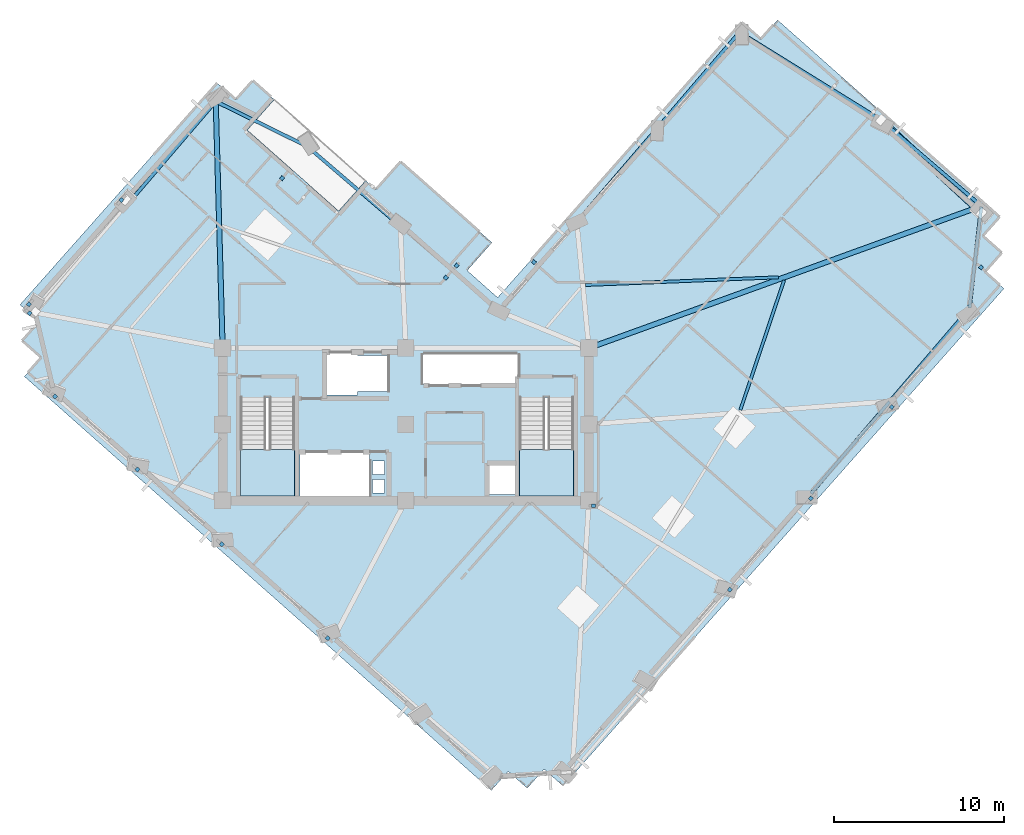
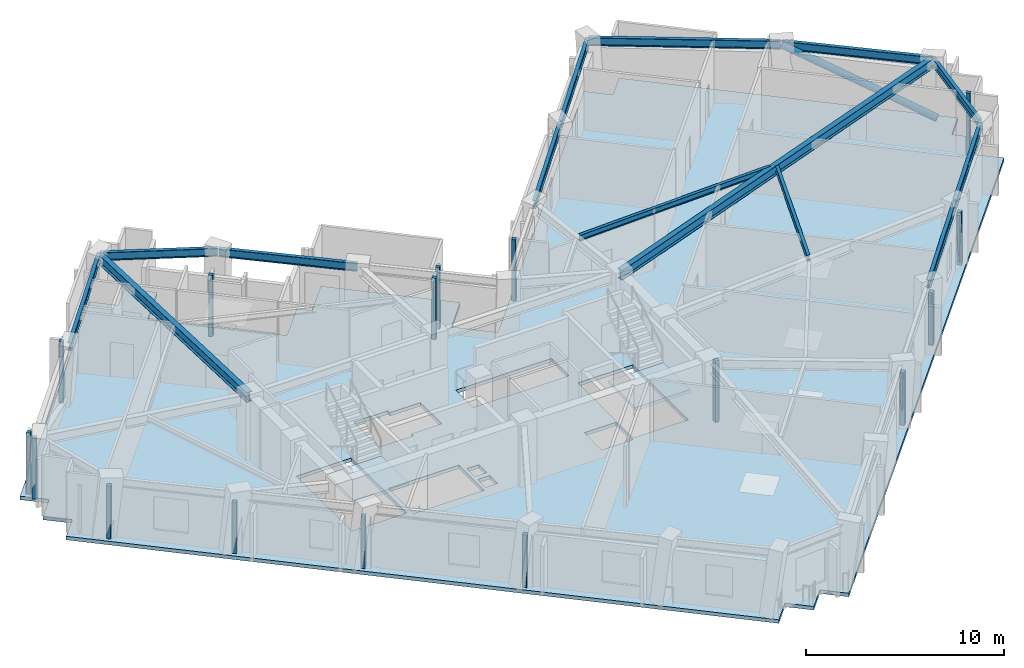
# One storey, part 2 of 13: 16 plates, 14 beams, 3 slabs, 1 member, 2 elements without a shape of their own.
"""IFC4 building model written with IfcOpenShell, lengths in metres."""

from ifc_helpers import new_model, si_unit, direction, frame, origin, origin_2d, place, context, subcontext, project, spatial, polyline, rectangle, hollow_circle, i_section, outline, extrude, material, layer, layer_set, material_profile, profile_set, type_object, element, aggregate, save


model = new_model("IFC4")

# Units and contexts
model_context = context("Model", 3, precision=1e-05, world=origin(), true_north=direction((0.0, 1.0)))
body_context = subcontext(model_context, "Body", "Model", "MODEL_VIEW")
ifc_project = project(units=[si_unit("LENGTHUNIT", "METRE"), si_unit("AREAUNIT", "SQUARE_METRE"), si_unit("VOLUMEUNIT", "CUBIC_METRE"), si_unit("PLANEANGLEUNIT", "RADIAN"), si_unit("MASSUNIT", "GRAM", prefix="KILO")], contexts=[model_context])

# Site, building, storey
site_placement = place(None, origin())
site = spatial("IfcSite", under=ifc_project, at=site_placement, CompositionType="ELEMENT")
building_placement = place(site_placement, origin())
building = spatial("IfcBuilding", under=site, at=building_placement, Name="Gaonmaruhae Medical Tower", CompositionType="ELEMENT")
storey_placement = place(building_placement, frame((0.0, 0.0, 231.199951171875)))
storey = spatial("IfcBuildingStorey", under=building, at=storey_placement, Name="L55", CompositionType="ELEMENT", Elevation=231.199951171875)

# Beams
ifc_material_1 = material(Name="Steel SM355", Category="steel")
ifc_material_profile_1 = material_profile(ifc_material_1, i_section(OverallWidth=0.175048828125, OverallDepth=0.35009765625, WebThickness=0.007080078125, FlangeThickness=0.010986328125, FilletRadius=0.012939453125, at=origin_2d()), Name="H-350x175x7x11")
ifc_profile_set_1 = profile_set([ifc_material_profile_1], Name="Steel SM355")
beam_type_1 = type_object("IfcBeamType", Name="FJ-02 Upper Zone Ward Floor Joist (H-350x175x7x11)", PredefinedType="JOIST", material=ifc_profile_set_1)
beam_1_placement = place(storey_placement, frame((44.532470703125, 13.140625, 3.60498046875), z_axis=(0.319035803651, 0.947742663379, 0.0), x_axis=(-0.947742663379, 0.319035803651, 0.0)))
element("IfcBeam", 1, at=beam_1_placement, inside=storey, type_object=beam_type_1, Name="L55 Secondary Floor Joist FJ03", PredefinedType="JOIST", context=body_context, shape_type="SweptSolid", body=[
    extrude(i_section(OverallWidth=0.175048828125, OverallDepth=0.35009765625, WebThickness=0.007080078125, FlangeThickness=0.010986328125, FilletRadius=0.012939453125, at=origin_2d()), origin(), (0.0, 0.0, 1.0), 8.081787109375),
])
beam_2_placement = place(storey_placement, frame((46.7734375, 20.971435546875, 3.60498046875), z_axis=(-0.999209193923, -0.039761624467, 0.0), x_axis=(0.039761624467, -0.999209193923, 0.0)))
element("IfcBeam", 2, at=beam_2_placement, inside=storey, type_object=beam_type_1, Name="L55 Secondary Floor Joist FJ04", PredefinedType="JOIST", context=body_context, shape_type="SweptSolid", body=[
    extrude(i_section(OverallWidth=0.175048828125, OverallDepth=0.35009765625, WebThickness=0.007080078125, FlangeThickness=0.010986328125, FilletRadius=0.012939453125, at=origin_2d()), origin(), (0.0, 0.0, 1.0), 11.3837890625),
])

# Member
ifc_material_2 = material(Name="Steel SM420", Category="steel")
ifc_material_profile_2 = material_profile(ifc_material_2, hollow_circle(Radius=0.203125, WallThickness=0.0126953125, at=origin_2d()), Name="CHS-406.4x12.7")
ifc_profile_set_2 = profile_set([ifc_material_profile_2], Name="Steel SM420")
member_type = type_object("IfcMemberType", Name="PB-02 Perimeter Solid-Bay Tube Brace Mid (CHS-406.4x12.7)", PredefinedType="BRACE", material=ifc_profile_set_2)
member_placement = place(storey_placement, frame((58.75048828125, 24.7578125, 0.25), z_axis=(-0.679484487958, 0.629927953132, 0.376153697957), x_axis=(-0.679858618406, -0.733343206813, 0.0)))
element("IfcMember", 3, at=member_placement, inside=storey, type_object=member_type, Name="L55 Perimeter Tube Solid-Bay Brace E01-E02", PredefinedType="BRACE", context=body_context, shape_type="SweptSolid", body=[
    extrude(hollow_circle(Radius=0.203125, WallThickness=0.0126953125, at=origin_2d()), origin(), (0.0, 0.0, 1.0), 8.719970703125),
])

# Beams
ifc_material_profile_3 = material_profile(ifc_material_2, i_section(OverallWidth=0.300048828125, OverallDepth=0.60009765625, WebThickness=0.011962890625, FlangeThickness=0.02001953125, FilletRadius=0.012939453125, at=origin_2d()), Name="H-600x300x12x20")
ifc_profile_set_3 = profile_set([ifc_material_profile_3], Name="Steel SM420")
beam_type_2 = type_object("IfcBeamType", Name="PG-04 Zone 4 Radial Floor Girder (H-600x300x12x20)", PredefinedType="BEAM", material=ifc_profile_set_3)
beam_3_placement = place(storey_placement, frame((35.64697265625, 16.81689453125, 3.47998046875), z_axis=(0.9403469452, 0.340217022873, 0.0), x_axis=(-0.340217022873, 0.9403469452, 0.0)))
element("IfcBeam", 4, at=beam_3_placement, inside=storey, type_object=beam_type_2, Name="L55 Radial Primary Girder E01", PredefinedType="BEAM", context=body_context, shape_type="SweptSolid", body=[
    extrude(i_section(OverallWidth=0.300048828125, OverallDepth=0.60009765625, WebThickness=0.011962890625, FlangeThickness=0.02001953125, FilletRadius=0.012939453125, at=origin_2d()), origin(), (0.0, 0.0, 1.0), 24.51611328125),
])
beam_4_placement = place(storey_placement, frame((13.99853515625, 16.85009765625, 3.47998046875), z_axis=(-0.027943383675, 0.999609507412, 0.0), x_axis=(-0.999609507412, -0.027943383675, 0.0)))
element("IfcBeam", 5, at=beam_4_placement, inside=storey, type_object=beam_type_2, Name="L55 Radial Primary Girder N01", PredefinedType="BEAM", context=body_context, shape_type="SweptSolid", body=[
    extrude(i_section(OverallWidth=0.300048828125, OverallDepth=0.60009765625, WebThickness=0.011962890625, FlangeThickness=0.02001953125, FilletRadius=0.012939453125, at=origin_2d()), origin(), (0.0, 0.0, 1.0), 14.450927734375),
])
ifc_material_profile_4 = material_profile(ifc_material_1, i_section(OverallWidth=0.199951171875, OverallDepth=0.5, WebThickness=0.010009765625, FlangeThickness=0.01611328125, FilletRadius=0.012939453125, at=origin_2d()), Name="H-500x200x10x16")
ifc_profile_set_4 = profile_set([ifc_material_profile_4], Name="Steel SM355")
beam_type_3 = type_object("IfcBeamType", Name="SP-02 Upper Perimeter Spandrel Beam (H-500x200x10x16)", PredefinedType="SPANDREL", material=ifc_profile_set_4)
beam_5_placement = place(storey_placement, frame((48.69775390625, 8.224609375, 3.530029296875), z_axis=(0.650757486122, 0.759285647339, 0.0), x_axis=(-0.759285647339, 0.650757486122, 0.0)))
element("IfcBeam", 6, at=beam_5_placement, inside=storey, type_object=beam_type_3, Name="L55 Perimeter Spandrel Beam S04-S05", PredefinedType="SPANDREL", context=body_context, shape_type="SweptSolid", body=[
    extrude(i_section(OverallWidth=0.199951171875, OverallDepth=0.5, WebThickness=0.010009765625, FlangeThickness=0.01611328125, FilletRadius=0.012939453125, at=origin_2d()), origin(), (0.0, 0.0, 1.0), 7.119873046875),
])
beam_6_placement = place(storey_placement, frame((53.38330078125, 13.69140625, 3.530029296875), z_axis=(0.650777254206, 0.759268704352, 0.0), x_axis=(-0.759268704352, 0.650777254206, 0.0)))
element("IfcBeam", 7, at=beam_6_placement, inside=storey, type_object=beam_type_3, Name="L55 Perimeter Spandrel Beam S05-S06", PredefinedType="SPANDREL", context=body_context, shape_type="SweptSolid", body=[
    extrude(i_section(OverallWidth=0.199951171875, OverallDepth=0.5, WebThickness=0.010009765625, FlangeThickness=0.01611328125, FilletRadius=0.012939453125, at=origin_2d()), origin(), (0.0, 0.0, 1.0), 7.1201171875),
])
beam_7_placement = place(storey_placement, frame((58.04736328125, 19.16748046875, 3.530029296875), z_axis=(0.115773122096, 0.993275683886, 0.0), x_axis=(-0.993275683886, 0.115773122096, 0.0)))
element("IfcBeam", 8, at=beam_7_placement, inside=storey, type_object=beam_type_3, Name="L55 Perimeter Spandrel Beam S06-E01", PredefinedType="SPANDREL", context=body_context, shape_type="SweptSolid", body=[
    extrude(i_section(OverallWidth=0.199951171875, OverallDepth=0.5, WebThickness=0.010009765625, FlangeThickness=0.01611328125, FilletRadius=0.012939453125, at=origin_2d()), origin(), (0.0, 0.0, 1.0), 6.0078125),
])
beam_8_placement = place(storey_placement, frame((58.71728515625, 25.20068359375, 3.530029296875), z_axis=(-0.759258834638, 0.650788769129, 0.0), x_axis=(-0.650788769129, -0.759258834638, 0.0)))
element("IfcBeam", 9, at=beam_8_placement, inside=storey, type_object=beam_type_3, Name="L55 Perimeter Spandrel Beam E01-E02", PredefinedType="SPANDREL", context=body_context, shape_type="SweptSolid", body=[
    extrude(i_section(OverallWidth=0.199951171875, OverallDepth=0.5, WebThickness=0.010009765625, FlangeThickness=0.01611328125, FilletRadius=0.012939453125, at=origin_2d()), origin(), (0.0, 0.0, 1.0), 7.72021484375),
])
beam_9_placement = place(storey_placement, frame((52.791259765625, 30.27197265625, 3.530029296875), z_axis=(-0.849805189676, 0.527096897734, 0.0), x_axis=(-0.527096897734, -0.849805189676, 0.0)))
element("IfcBeam", 10, at=beam_9_placement, inside=storey, type_object=beam_type_3, Name="L55 Perimeter Spandrel Beam E02-E03", PredefinedType="SPANDREL", context=body_context, shape_type="SweptSolid", body=[
    extrude(i_section(OverallWidth=0.199951171875, OverallDepth=0.5, WebThickness=0.010009765625, FlangeThickness=0.01611328125, FilletRadius=0.012939453125, at=origin_2d()), origin(), (0.0, 0.0, 1.0), 9.735107421875),
])
beam_10_placement = place(storey_placement, frame((44.458251953125, 35.39404296875, 3.530029296875), z_axis=(-0.65076984133, -0.759275057944, 0.0), x_axis=(0.759275057944, -0.65076984133, 0.0)))
element("IfcBeam", 11, at=beam_10_placement, inside=storey, type_object=beam_type_3, Name="L55 Perimeter Spandrel Beam E03-EN01", PredefinedType="SPANDREL", context=body_context, shape_type="SweptSolid", body=[
    extrude(i_section(OverallWidth=0.199951171875, OverallDepth=0.5, WebThickness=0.010009765625, FlangeThickness=0.01611328125, FilletRadius=0.012939453125, at=origin_2d()), origin(), (0.0, 0.0, 1.0), 7.47021484375),
])
for number, where, z_axis, x_axis, name in (
    (12, (39.544921875, 29.66162109375, 3.530029296875), (-0.650777254206, -0.759268704352, 0.0), (0.759268704352, -0.650777254206, 0.0), "L55 Perimeter Spandrel Beam EN01-EN02"),
    (13, (24.44775390625, 24.017822265625, 3.510009765625), (-0.759268704352, 0.650777254206, 0.0), (-0.650777254206, -0.759268704352, 0.0), "L55 Perimeter Spandrel Beam NE01-NE02"),
):
    element("IfcBeam", number, at=place(storey_placement, frame(where, z_axis=z_axis, x_axis=x_axis)), inside=storey, type_object=beam_type_3, Name=name, PredefinedType="SPANDREL", context=body_context, shape_type="SweptSolid", body=[
        extrude(i_section(OverallWidth=0.199951171875, OverallDepth=0.5, WebThickness=0.010009765625, FlangeThickness=0.01611328125, FilletRadius=0.012939453125, at=origin_2d()), origin(), (0.0, 0.0, 1.0), 7.1201171875),
    ])
beam_11_placement = place(storey_placement, frame((18.975341796875, 28.695068359375, 3.530029296875), z_axis=(-0.897122964684, 0.441780925615, 0.0), x_axis=(-0.441780925615, -0.897122964684, 0.0)))
element("IfcBeam", 14, at=beam_11_placement, inside=storey, type_object=beam_type_3, Name="L55 Perimeter Spandrel Beam NE02-N01", PredefinedType="SPANDREL", context=body_context, shape_type="SweptSolid", body=[
    extrude(i_section(OverallWidth=0.199951171875, OverallDepth=0.5, WebThickness=0.010009765625, FlangeThickness=0.01611328125, FilletRadius=0.012939453125, at=origin_2d()), origin(), (0.0, 0.0, 1.0), 5.958984375),
])
beam_12_placement = place(storey_placement, frame((13.5673828125, 31.31494140625, 3.530029296875), z_axis=(-0.650766612186, -0.759277825611, 0.0), x_axis=(0.759277825611, -0.650766612186, 0.0)))
element("IfcBeam", 15, at=beam_12_placement, inside=storey, type_object=beam_type_3, Name="L55 Perimeter Spandrel Beam N01-N02", PredefinedType="SPANDREL", context=body_context, shape_type="SweptSolid", body=[
    extrude(i_section(OverallWidth=0.199951171875, OverallDepth=0.5, WebThickness=0.010009765625, FlangeThickness=0.01611328125, FilletRadius=0.012939453125, at=origin_2d()), origin(), (0.0, 0.0, 1.0), 8.119873046875),
])

# Slab
ifc_material_3 = material(Name="Concrete C40/50", Category="concrete")
ifc_layer_1 = layer(ifc_material_3, 0.219970703125)
ifc_layer_set_1 = layer_set([ifc_layer_1], Name="Concrete C40/50")
slab_type_1 = type_object("IfcSlabType", Name="FS-220 Clinical Ward Composite Floor Slab", PredefinedType="FLOOR", material=ifc_layer_set_1)
slab_1_placement = place(storey_placement, frame((0.0, 0.0, -0.219970703125)))
element("IfcSlab", 16, at=slab_1_placement, inside=storey, type_object=slab_type_1, Name="L55 Structural Slab 1", PredefinedType="FLOOR", context=body_context, shape_type="SweptSolid", body=[
    extrude(outline(polyline([(44.612060546875, 36.018798828125), (45.734619140625, 35.02392578125), (46.7294921875, 36.146484375), (59.826171875, 24.539306640625), (58.831298828125, 23.416748046875), (59.953857421875, 22.421875), (58.958984375, 21.29931640625), (60.08154296875, 20.30419921875), (34.081298828125, -9.031982421875), (32.95849609375, -8.037109375), (31.963623046875, -9.15966796875), (30.841064453125, -8.164794921875), (29.84619140625, -9.287353515625), (2.305908203125, 15.12109375), (3.30078125, 16.24365234375), (2.17822265625, 17.238525390625), (3.173095703125, 18.361083984375), (2.050537109375, 19.35595703125), (13.657958984375, 32.45263671875), (14.780517578125, 31.457763671875), (15.775390625, 32.580322265625), (17.047607421875, 31.45263671875), (15.455810546875, 29.656494140625), (20.843994140625, 24.881103515625), (22.435791015625, 26.67724609375), (23.03466796875, 26.146484375), (24.493896484375, 27.79296875), (29.882080078125, 23.017333984375), (28.423095703125, 21.37109375), (30.218994140625, 19.779052734375), (44.612060546875, 36.018798828125)]), holes=[polyline([(23.550048828125, 8.25), (22.85009765625, 8.25), (22.85009765625, 9.050048828125), (23.550048828125, 9.050048828125), (23.550048828125, 8.25)]), polyline([(31.425048828125, 9.925048828125), (31.425048828125, 8.175048828125), (29.574951171875, 8.175048828125), (29.574951171875, 9.925048828125), (31.425048828125, 9.925048828125)]), polyline([(22.64990234375, 10.625), (22.64990234375, 8.074951171875), (18.550048828125, 8.074951171875), (18.550048828125, 10.625), (22.64990234375, 10.625)]), polyline([(23.550048828125, 9.35009765625), (22.85009765625, 9.35009765625), (22.85009765625, 10.14990234375), (23.550048828125, 10.14990234375), (23.550048828125, 9.35009765625)]), polyline([(15.050048828125, 13.889892578125), (18.25, 13.889892578125), (18.25, 8.300048828125), (15.050048828125, 8.300048828125), (15.050048828125, 13.889892578125)]), polyline([(31.5, 13.889892578125), (34.699951171875, 13.889892578125), (34.699951171875, 8.300048828125), (31.5, 8.300048828125), (31.5, 13.889892578125)]), polyline([(21.949951171875, 14.22509765625), (21.949951171875, 14.02490234375), (19.949951171875, 14.02490234375), (19.949951171875, 16.574951171875), (21.949951171875, 16.574951171875), (21.949951171875, 16.375), (23.72509765625, 16.375), (23.72509765625, 14.22509765625), (21.949951171875, 14.22509765625)]), polyline([(31.425048828125, 16.425048828125), (31.425048828125, 14.675048828125), (25.824951171875, 14.675048828125), (25.824951171875, 16.425048828125), (31.425048828125, 16.425048828125)])]), origin(), (0.0, 0.0, 1.0), 0.219970703125),
])

# Plates
ifc_material_4 = material(Name="Anodised aluminium 6063-T6", Category="aluminium")
ifc_layer_2 = layer(ifc_material_4, 0.011962890625)
ifc_layer_set_2 = layer_set([ifc_layer_2], Name="Anodised aluminium 6063-T6")
plate_type = type_object("IfcPlateType", Name="PP-01 Interior Partition Corner Stiffener Plate", PredefinedType="SHEET", material=ifc_layer_set_2)
plate_1_placement = place(storey_placement, frame((43.91357421875, 2.54443359375, 0.0), z_axis=(0.0, 0.0, 1.0), x_axis=(-0.663482343462, -0.748191940557, 0.0)))
element("IfcPlate", 17, at=plate_1_placement, inside=storey, type_object=plate_type, Name="L55 Partition Corner Stiffener Plate PLT-L55-JGP-PW013", PredefinedType="SHEET", context=body_context, shape_type="SweptSolid", body=[
    extrude(rectangle(XDim=0.219970703125, YDim=0.219970703125, at=origin_2d()), origin(), (0.0, 0.0, 1.0), 3.264892578125),
])
plate_2_placement = place(storey_placement, frame((35.875, 7.5, 0.0), z_axis=(0.0, 0.0, 1.0), x_axis=(1.0, 0.0, 0.0)))
element("IfcPlate", 18, at=plate_2_placement, inside=storey, type_object=plate_type, Name="L55 Partition Corner Stiffener Plate PLT-L55-JGP-PW014", PredefinedType="SHEET", context=body_context, shape_type="SweptSolid", body=[
    extrude(rectangle(XDim=0.219970703125, YDim=0.219970703125, at=origin_2d()), origin(), (0.0, 0.0, 1.0), 3.780029296875),
])
for number, where, z_axis, x_axis, name in (
    (19, (48.6884765625, 7.931884765625, 0.0), (0.0, 0.0, 1.0), (-0.663665141432, -0.748029798903, 0.0), "L55 Partition Corner Stiffener Plate PLT-L55-JGP-PW018"),
    (20, (53.464111328125, 13.320556640625, 0.0), (0.0, 0.0, 1.0), (-0.662162413599, -0.749360352579, 0.0), "L55 Partition Corner Stiffener Plate PLT-L55-JGP-PW021"),
):
    element("IfcPlate", number, at=place(storey_placement, frame(where, z_axis=z_axis, x_axis=x_axis)), inside=storey, type_object=plate_type, Name=name, PredefinedType="SHEET", context=body_context, shape_type="SweptSolid", body=[
        extrude(rectangle(XDim=0.219970703125, YDim=0.219970703125, at=origin_2d()), origin(), (0.0, 0.0, 1.0), 3.264892578125),
    ])
plate_3_placement = place(storey_placement, frame((58.7275390625, 21.5576171875, 0.0), z_axis=(0.0, 0.0, 1.0), x_axis=(0.747971880346, -0.66373041682, 0.0)))
element("IfcPlate", 21, at=plate_3_placement, inside=storey, type_object=plate_type, Name="L55 Partition Corner Stiffener Plate PLT-L55-JGP-PW025", PredefinedType="SHEET", context=body_context, shape_type="SweptSolid", body=[
    extrude(rectangle(XDim=0.219970703125, YDim=0.219970703125, at=origin_2d()), origin(), (0.0, 0.0, 1.0), 3.780029296875),
])
for number, where, z_axis, x_axis, name in (
    (22, (20.199951171875, -0.31103515625, 0.0), (0.0, 0.0, 1.0), (-0.748944155773, 0.662633119858, 0.0), "L55 Partition Corner Stiffener Plate PLT-L55-JGP-PW027"),
    (23, (13.951416015625, 5.2275390625, 0.0), (0.0, 0.0, 1.0), (-0.748585527149, 0.663038240634, 0.0), "L55 Partition Corner Stiffener Plate PLT-L55-JGP-PW030"),
):
    element("IfcPlate", number, at=place(storey_placement, frame(where, z_axis=z_axis, x_axis=x_axis)), inside=storey, type_object=plate_type, Name=name, PredefinedType="SHEET", context=body_context, shape_type="SweptSolid", body=[
        extrude(rectangle(XDim=0.219970703125, YDim=0.219970703125, at=origin_2d()), origin(), (0.0, 0.0, 1.0), 3.264892578125),
    ])
plate_4_placement = place(storey_placement, frame((8.97509765625, 9.637451171875, 0.0), z_axis=(0.0, 0.0, 1.0), x_axis=(-0.748608671094, 0.663012109666, 0.0)))
element("IfcPlate", 24, at=plate_4_placement, inside=storey, type_object=plate_type, Name="L55 Partition Corner Stiffener Plate PLT-L55-JGP-PW035", PredefinedType="SHEET", context=body_context, shape_type="SweptSolid", body=[
    extrude(rectangle(XDim=0.219970703125, YDim=0.219970703125, at=origin_2d()), origin(), (0.0, 0.0, 1.0), 3.1650390625),
])
plate_5_placement = place(storey_placement, frame((4.1201171875, 13.9404296875, 0.0), z_axis=(0.0, 0.0, 1.0), x_axis=(-0.748134037951, 0.663547632999, 0.0)))
element("IfcPlate", 25, at=plate_5_placement, inside=storey, type_object=plate_type, Name="L55 Partition Corner Stiffener Plate PLT-L55-JGP-PW036", PredefinedType="SHEET", context=body_context, shape_type="SweptSolid", body=[
    extrude(rectangle(XDim=0.219970703125, YDim=0.219970703125, at=origin_2d()), origin(), (0.0, 0.0, 1.0), 3.264892578125),
])
for number, where, z_axis, x_axis, name in (
    (26, (2.615478515625, 18.85498046875, 0.0), (0.0, 0.0, 1.0), (-0.747856026143, 0.66386095243, 0.0), "L55 Partition Corner Stiffener Plate PLT-L55-JGP-PW041"),
    (27, (2.577392578125, 19.3779296875, 0.0), (0.0, 0.0, 1.0), (0.662750755556, 0.748840060367, 0.0), "L55 Partition Corner Stiffener Plate PLT-L55-JGP-PW042"),
    (28, (8.032470703125, 25.532470703125, 0.0), (0.0, 0.0, 1.0), (0.662946778711, 0.748666526965, 0.0), "L55 Partition Corner Stiffener Plate PLT-L55-JGP-PW043"),
    (29, (32.3583984375, 21.864990234375, 0.0), (0.0, 0.0, 1.0), (-0.748423493998, 0.663221134789, 0.0), "L55 Partition Corner Stiffener Plate PLT-L55-JGP-PW054"),
    (30, (27.801025390625, 21.66455078125, 0.0), (0.0, 0.0, 1.0), (-0.663599860991, -0.748087711764, 0.0), "L55 Partition Corner Stiffener Plate PLT-L55-JGP-PW066"),
    (31, (27.1640625, 20.945556640625, 0.0), (0.0, 0.0, 1.0), (-0.663351749229, -0.748307728675, 0.0), "L55 Partition Corner Stiffener Plate PLT-L55-JGP-PW067"),
    (32, (17.507080078125, 26.819580078125, 0.0), (0.0, 0.0, 1.0), (-0.663652085748, -0.748041381931, 0.0), "L55 Partition Corner Stiffener Plate PLT-L55-JGP-PW073"),
):
    element("IfcPlate", number, at=place(storey_placement, frame(where, z_axis=z_axis, x_axis=x_axis)), inside=storey, type_object=plate_type, Name=name, PredefinedType="SHEET", context=body_context, shape_type="SweptSolid", body=[
        extrude(rectangle(XDim=0.219970703125, YDim=0.219970703125, at=origin_2d()), origin(), (0.0, 0.0, 1.0), 3.780029296875),
    ])

# Stair, slab
stair_type = type_object("IfcStairType", Name="ST-T1 Primary Core Escape Dogleg Stair", PredefinedType="TWO_QUARTER_TURN_STAIR", material=ifc_material_3)
stair_1_placement = place(storey_placement, origin())
stair_1 = element("IfcStair", 33, at=stair_1_placement, inside=storey, type_object=stair_type, Name="L55 Protected Escape Stair ST-01", PredefinedType="TWO_QUARTER_TURN_STAIR")
ifc_layer_3 = layer(ifc_material_3, 0.199951171875)
ifc_layer_set_3 = layer_set([ifc_layer_3], Name="Concrete C40/50")
slab_type_2 = type_object("IfcSlabType", Name="SL-200 Stair & Ramp Intermediate Concrete Landing", PredefinedType="LANDING", material=ifc_layer_set_3)
slab_2_placement = place(storey_placement, frame((0.0, 0.0, 1.800048828125)))
slab_2 = element("IfcSlab", 34, at=slab_2_placement, type_object=slab_type_2, Name="ST-01 landing 1", PredefinedType="LANDING", context=body_context, shape_type="SweptSolid", body=[
    extrude(outline(polyline([(15.050048828125, 10.820068359375), (15.050048828125, 8.0791015625), (18.25, 8.0791015625), (18.25, 10.820068359375), (15.050048828125, 10.820068359375)])), origin(), (0.0, 0.0, 1.0), 0.199951171875),
])
aggregate(stair_1, [slab_2])

stair_2_placement = place(storey_placement, origin())
stair_2 = element("IfcStair", 35, at=stair_2_placement, inside=storey, type_object=stair_type, Name="L55 Protected Escape Stair ST-02", PredefinedType="TWO_QUARTER_TURN_STAIR")
slab_3_placement = place(storey_placement, frame((0.0, 0.0, 1.800048828125)))
slab_3 = element("IfcSlab", 36, at=slab_3_placement, type_object=slab_type_2, Name="ST-02 landing 1", PredefinedType="LANDING", context=body_context, shape_type="SweptSolid", body=[
    extrude(outline(polyline([(31.5, 10.820068359375), (31.5, 8.0791015625), (34.699951171875, 8.0791015625), (34.699951171875, 10.820068359375), (31.5, 10.820068359375)])), origin(), (0.0, 0.0, 1.0), 0.199951171875),
])
aggregate(stair_2, [slab_3])

save(model, "model.ifc")
